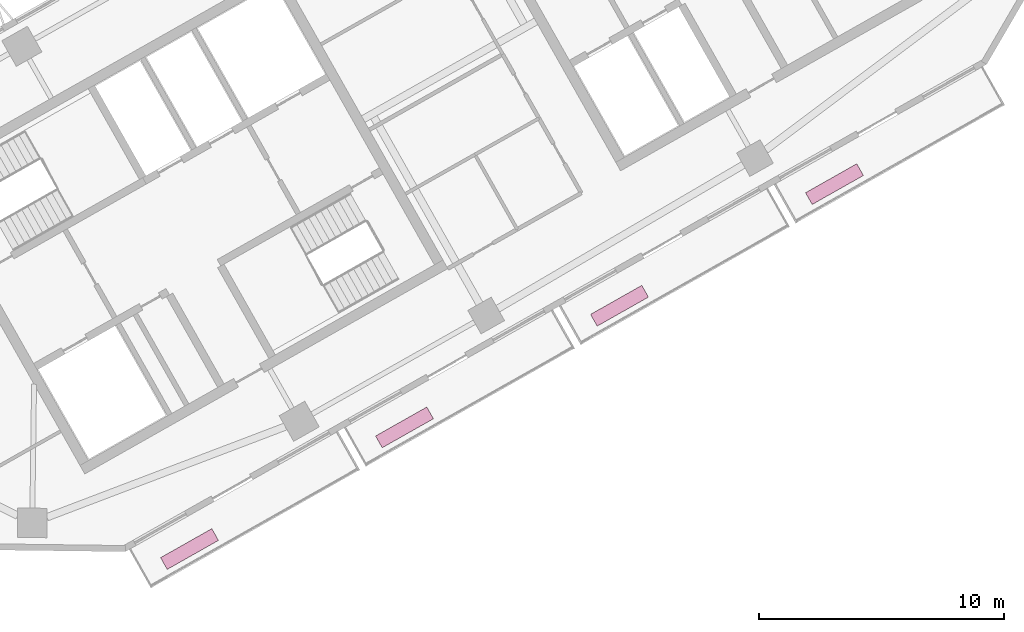
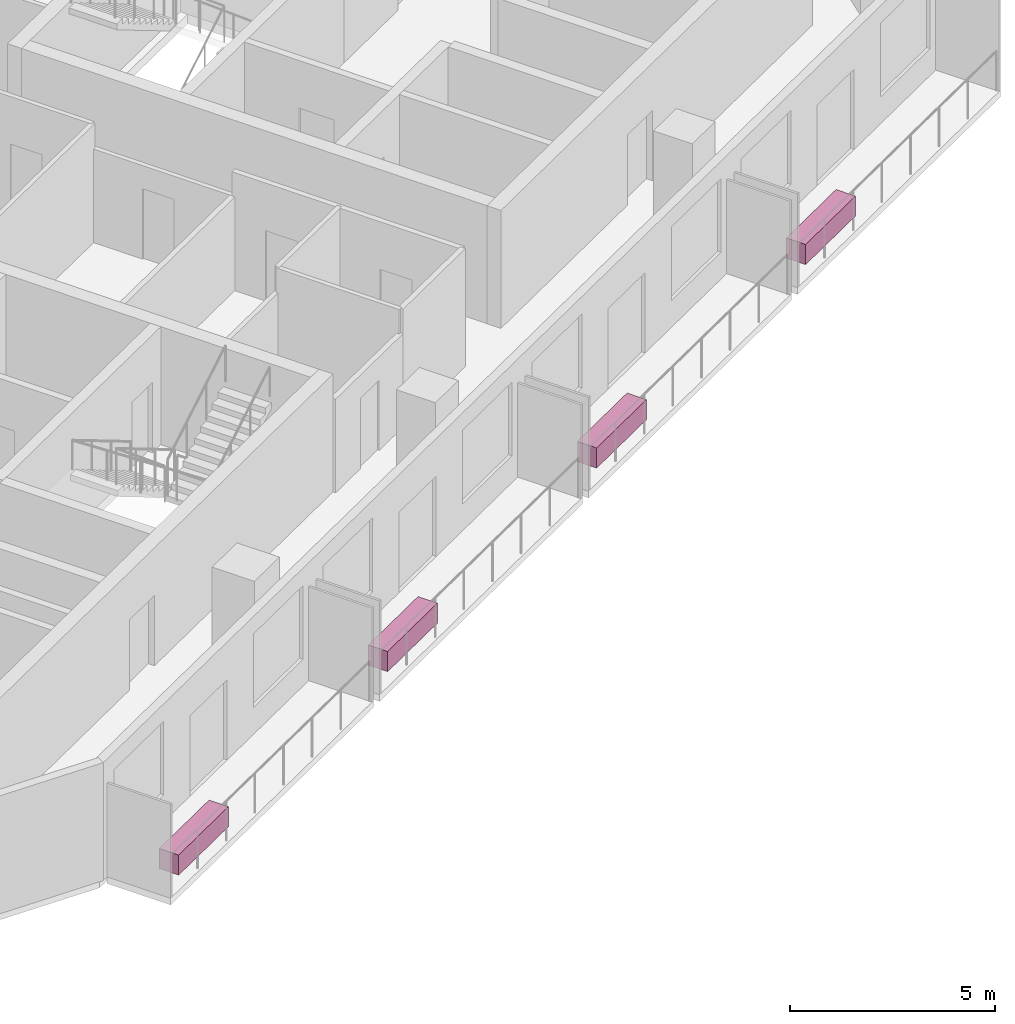
# One storey, part 8 of 8: 4 furnishings.
"""IFC4 building model written with IfcOpenShell, lengths in metres."""

from ifc_helpers import new_model, si_unit, direction, frame, origin, origin_2d, place, context, subcontext, project, spatial, rectangle, extrude, material, type_object, element, save


model = new_model("IFC4")

# Units and contexts
model_context = context("Model", 3, precision=1e-05, world=origin(), true_north=direction((0.0, 1.0)))
body_context = subcontext(model_context, "Body", "Model", "MODEL_VIEW")
ifc_project = project(units=[si_unit("LENGTHUNIT", "METRE"), si_unit("AREAUNIT", "SQUARE_METRE"), si_unit("VOLUMEUNIT", "CUBIC_METRE"), si_unit("PLANEANGLEUNIT", "RADIAN"), si_unit("MASSUNIT", "GRAM", prefix="KILO")], contexts=[model_context])

# Site, building, storey
site_placement = place(None, origin())
site = spatial("IfcSite", under=ifc_project, at=site_placement, CompositionType="ELEMENT")
building_placement = place(site_placement, origin())
building = spatial("IfcBuilding", under=site, at=building_placement, Name="Binnacle Exchange Tower", CompositionType="ELEMENT")
storey_placement = place(building_placement, frame((0.0, 0.0, 270.300048828125)))
storey = spatial("IfcBuildingStorey", under=building, at=storey_placement, Name="L60", CompositionType="ELEMENT", Elevation=270.300048828125)

# Furnishings
ifc_material = material(Name="Concrete C35/45", Category="concrete")
furnishing_element_type = type_object("IfcFurnishingElementType", Name="PLANTER 2400x550x600", material=ifc_material)
for number, where, z_axis, x_axis, name in (
    (1, (-35.44677734375, 26.428466796875, 0.0), (0.0, 0.0, 1.0), (0.87035569594, 0.492423560103, 0.0), "Planter H07-B00a L60"),
    (2, (-26.683837890625, 31.38623046875, 0.0), (0.0, 0.0, 1.0), (0.87035569594, 0.492423560103, 0.0), "Planter H07-B01a L60"),
    (3, (-17.9208984375, 36.34423828125, 0.0), (0.0, 0.0, 1.0), (0.87035569594, 0.492423560103, 0.0), "Planter H07-B02a L60"),
    (4, (-9.158203125, 41.302001953125, 0.0), (0.0, 0.0, 1.0), (0.87035569594, 0.492423560103, 0.0), "Planter H07-B03a L60"),
):
    element("IfcFurnishingElement", number, at=place(storey_placement, frame(where, z_axis=z_axis, x_axis=x_axis)), inside=storey, type_object=furnishing_element_type, Name=name, ObjectType="PLANTER", context=body_context, shape_type="SweptSolid", body=[
        extrude(rectangle(XDim=2.39990234375, YDim=0.550048828125, at=origin_2d()), origin(), (0.0, 0.0, 1.0), 0.60009765625),
    ])

save(model, "model.ifc")
